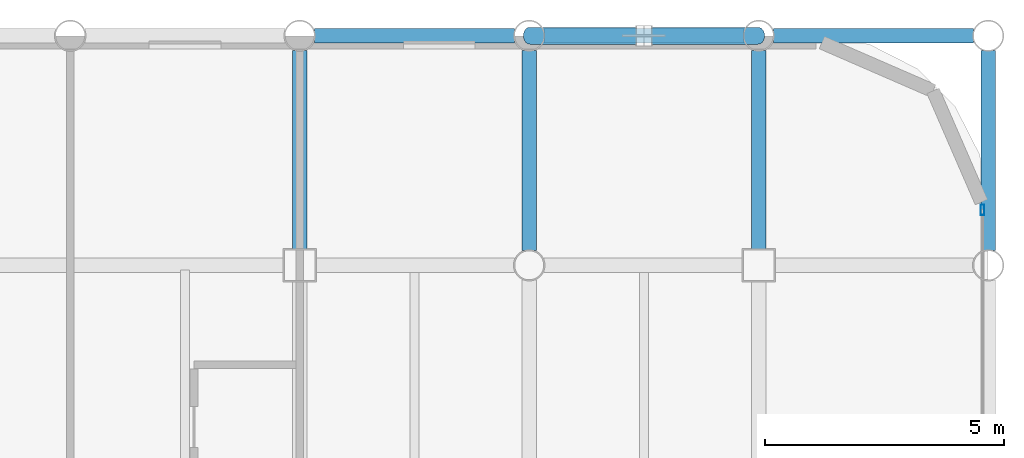
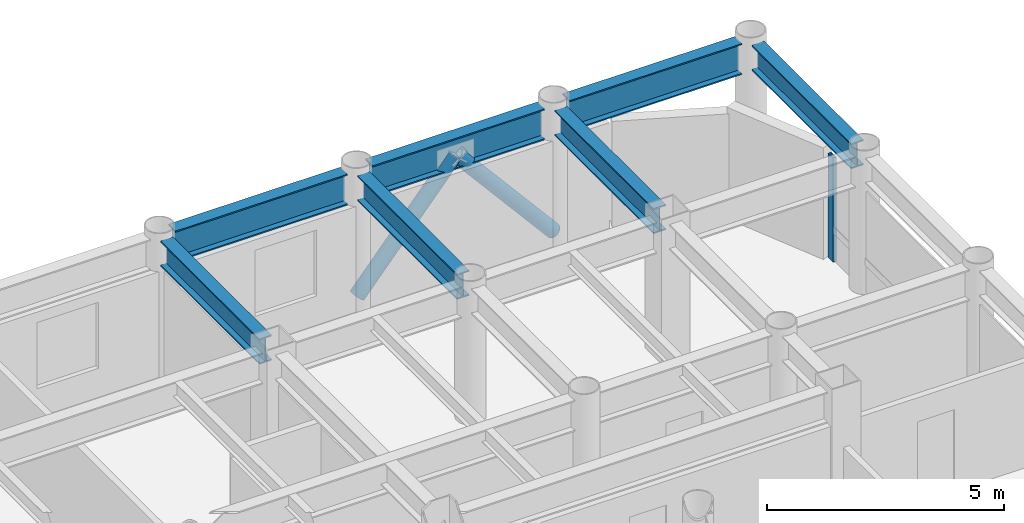
# One storey, part 14 of 19: 7 beams, 3 members, 1 element without a shape of its own.
"""IFC4 building model written with IfcOpenShell, lengths in metres."""

from ifc_helpers import new_model, si_unit, direction, frame, origin, origin_2d, place, context, subcontext, project, spatial, hollow_rectangle, hollow_circle, i_section, extrude, material, layer, layer_set, material_profile, profile_set, type_object, element, aggregate, save


model = new_model("IFC4")

# Units and contexts
model_context = context("Model", 3, precision=1e-05, world=origin(), true_north=direction((0.0, 1.0)))
body_context = subcontext(model_context, "Body", "Model", "MODEL_VIEW")
ifc_project = project(units=[si_unit("LENGTHUNIT", "METRE"), si_unit("AREAUNIT", "SQUARE_METRE"), si_unit("VOLUMEUNIT", "CUBIC_METRE"), si_unit("PLANEANGLEUNIT", "RADIAN"), si_unit("MASSUNIT", "GRAM", prefix="KILO")], contexts=[model_context])

# Site, building, storey
site_placement = place(None, origin())
site = spatial("IfcSite", under=ifc_project, at=site_placement, CompositionType="ELEMENT")
building_placement = place(site_placement, origin())
building = spatial("IfcBuilding", under=site, at=building_placement, Name="Kallvorn Hotel Tower", CompositionType="ELEMENT")
storey_placement = place(building_placement, frame((0.0, 0.0, 165.5)))
storey = spatial("IfcBuildingStorey", under=building, at=storey_placement, Name="L41", CompositionType="ELEMENT", Elevation=165.5)

# Beams
ifc_material_1 = material(Name="Structural steel S355JR", Category="steel")
ifc_material_profile_1 = material_profile(ifc_material_1, i_section(OverallWidth=0.300048828125, OverallDepth=0.64990234375, WebThickness=0.01611328125, FlangeThickness=0.031005859375, at=origin_2d()), Name="HE 650 B")
ifc_profile_set_1 = profile_set([ifc_material_profile_1], Name="Structural steel S355JR")
beam_type_1 = type_object("IfcBeamType", Name="BM_HE650B", PredefinedType="BEAM", material=ifc_profile_set_1)
beam_1_placement = place(storey_placement, frame((14.39990234375, 14.72509765625, 3.195068359375), z_axis=(0.0, 1.0, 0.0), x_axis=(-1.0, 0.0, 0.0)))
element("IfcBeam", 1, at=beam_1_placement, inside=storey, type_object=beam_type_1, Name="L42 Primary Y-Girder 126", PredefinedType="BEAM", context=body_context, shape_type="SweptSolid", body=[
    extrude(i_section(OverallWidth=0.300048828125, OverallDepth=0.64990234375, WebThickness=0.01611328125, FlangeThickness=0.031005859375, at=origin_2d()), origin(), (0.0, 0.0, 1.0), 4.169921875),
])
beam_2_placement = place(storey_placement, frame((19.199951171875, 14.705078125, 3.195068359375), z_axis=(0.0, 1.0, 0.0), x_axis=(-1.0, 0.0, 0.0)))
element("IfcBeam", 2, at=beam_2_placement, inside=storey, type_object=beam_type_1, Name="L42 Primary Y-Girder 135", PredefinedType="BEAM", context=body_context, shape_type="SweptSolid", body=[
    extrude(i_section(OverallWidth=0.300048828125, OverallDepth=0.64990234375, WebThickness=0.01611328125, FlangeThickness=0.031005859375, at=origin_2d()), origin(), (0.0, 0.0, 1.0), 4.18994140625),
])
beam_3_placement = place(storey_placement, frame((24.0, 14.72509765625, 3.195068359375), z_axis=(0.0, 1.0, 0.0), x_axis=(-1.0, 0.0, 0.0)))
element("IfcBeam", 3, at=beam_3_placement, inside=storey, type_object=beam_type_1, Name="L42 Primary Y-Girder 142", PredefinedType="BEAM", context=body_context, shape_type="SweptSolid", body=[
    extrude(i_section(OverallWidth=0.300048828125, OverallDepth=0.64990234375, WebThickness=0.01611328125, FlangeThickness=0.031005859375, at=origin_2d()), origin(), (0.0, 0.0, 1.0), 4.169921875),
])
beam_4_placement = place(storey_placement, frame((28.800048828125, 14.705078125, 3.195068359375), z_axis=(0.0, 1.0, 0.0), x_axis=(-1.0, 0.0, 0.0)))
element("IfcBeam", 4, at=beam_4_placement, inside=storey, type_object=beam_type_1, Name="L42 Primary Y-Girder 150", PredefinedType="BEAM", context=body_context, shape_type="SweptSolid", body=[
    extrude(i_section(OverallWidth=0.300048828125, OverallDepth=0.64990234375, WebThickness=0.01611328125, FlangeThickness=0.031005859375, at=origin_2d()), origin(), (0.0, 0.0, 1.0), 4.18994140625),
])
ifc_material_2 = material(Name="Structural steel S355JR", Category="steel")
ifc_material_profile_2 = material_profile(ifc_material_2, i_section(OverallWidth=0.300048828125, OverallDepth=0.800048828125, WebThickness=0.017578125, FlangeThickness=0.032958984375, at=origin_2d()), Name="HE 800 B")
ifc_profile_set_2 = profile_set([ifc_material_profile_2], Name="Structural steel S355JR")
beam_type_2 = type_object("IfcBeamType", Name="BM_HE800B", PredefinedType="BEAM", material=ifc_profile_set_2)
beam_5_placement = place(storey_placement, frame((14.705078125, 19.199951171875, 3.1201171875), z_axis=(1.0, 0.0, 0.0), x_axis=(0.0, 1.0, 0.0)))
element("IfcBeam", 5, at=beam_5_placement, inside=storey, type_object=beam_type_2, Name="L42 Primary X-Girder 70", PredefinedType="BEAM", context=body_context, shape_type="SweptSolid", body=[
    extrude(i_section(OverallWidth=0.300048828125, OverallDepth=0.800048828125, WebThickness=0.017578125, FlangeThickness=0.032958984375, at=origin_2d()), origin(), (0.0, 0.0, 1.0), 4.18994140625),
])
for number, where, z_axis, x_axis, name in (
    (6, (19.5048828125, 19.199951171875, 3.1201171875), (1.0, 0.0, 0.0), (0.0, 1.0, 0.0), "L42 Primary X-Girder 71"),
    (7, (24.304931640625, 19.199951171875, 3.1201171875), (1.0, 0.0, 0.0), (0.0, 1.0, 0.0), "L42 Primary X-Girder 72"),
):
    element("IfcBeam", number, at=place(storey_placement, frame(where, z_axis=z_axis, x_axis=x_axis)), inside=storey, type_object=beam_type_2, Name=name, PredefinedType="BEAM", context=body_context, shape_type="SweptSolid", body=[
        extrude(i_section(OverallWidth=0.300048828125, OverallDepth=0.800048828125, WebThickness=0.017578125, FlangeThickness=0.032958984375, at=origin_2d()), origin(), (0.0, 0.0, 1.0), 4.190185546875),
    ])

# Curtain wall, member
ifc_material_3 = material(Name="Thermally broken black-anodised aluminium AA 6063-T6", Category="aluminium")
ifc_layer = layer(ifc_material_3, 0.2099609375)
ifc_layer_set = layer_set([ifc_layer], Name="CW_SYS_4_HOTEL_MID")
curtain_wall_type = type_object("IfcCurtainWallType", Name="CW_SYS_4_HOTEL_MID", PredefinedType="USERDEFINED", material=ifc_layer_set)
curtain_wall_placement = place(storey_placement, origin())
curtain_wall = element("IfcCurtainWall", 8, at=curtain_wall_placement, inside=storey, type_object=curtain_wall_type, Name="L41 Dark-Glass Curtain Wall CW-L41-EN", ObjectType="UNITISED CURTAIN WALL", PredefinedType="USERDEFINED")
ifc_material_4 = material(Name="Thermally broken black-anodised aluminium AA 6063-T6", Category="aluminium")
ifc_material_profile_3 = material_profile(ifc_material_4, hollow_rectangle(XDim=0.080078125, YDim=0.219970703125, WallThickness=0.0048828125, at=origin_2d()), Name="MUL 220x80")
ifc_profile_set_3 = profile_set([ifc_material_profile_3], Name="Thermally broken black-anodised aluminium AA 6063-T6")
member_type_1 = type_object("IfcMemberType", Name="CW_MULLION_220x80", PredefinedType="MULLION", material=ifc_profile_set_3)
member_placement = place(storey_placement, frame((28.679931640625, 15.56005859375, 0.02001953125), z_axis=(0.0, 0.0, 1.0), x_axis=(1.0, 0.0, 0.0)))
member = element("IfcMember", 9, at=member_placement, type_object=member_type_1, Name="CW-L41-EN Mullion 01", PredefinedType="MULLION", context=body_context, shape_type="SweptSolid", body=[
    extrude(hollow_rectangle(XDim=0.080078125, YDim=0.219970703125, WallThickness=0.0048828125, at=origin_2d()), origin(), (0.0, 0.0, 1.0), 2.679931640625),
])
aggregate(curtain_wall, [member])

# Members
ifc_material_5 = material(Name="Structural steel S355J2H", Category="steel")
ifc_material_profile_4 = material_profile(ifc_material_5, hollow_circle(Radius=0.177734375, WallThickness=0.01416015625, at=origin_2d()), Name="CHS 355.6x14.2")
ifc_profile_set_4 = profile_set([ifc_material_profile_4], Name="Structural steel S355J2H")
member_type_2 = type_object("IfcMemberType", Name="MBR_EXO_CHS355", PredefinedType="BRACE", material=ifc_profile_set_4)
for number, where, z_axis, x_axis, name in (
    (10, (19.212890625, 19.199951171875, 0.1953125), (0.646833296797, 0.0, 0.762631422218), (0.0, 1.0, 0.0), "L41 Exoskeleton K-Brace N2A"),
    (11, (23.987060546875, 19.199951171875, 0.1953125), (-0.646833296797, 0.0, 0.762631422218), (0.0, -1.0, 0.0), "L41 Exoskeleton K-Brace N2B"),
):
    element("IfcMember", number, at=place(storey_placement, frame(where, z_axis=z_axis, x_axis=x_axis)), inside=storey, type_object=member_type_2, Name=name, PredefinedType="BRACE", context=body_context, shape_type="SweptSolid", body=[
        extrude(hollow_circle(Radius=0.177734375, WallThickness=0.01416015625, at=origin_2d()), origin(), (0.0, 0.0, 1.0), 3.670654296875),
    ])

save(model, "model.ifc")
